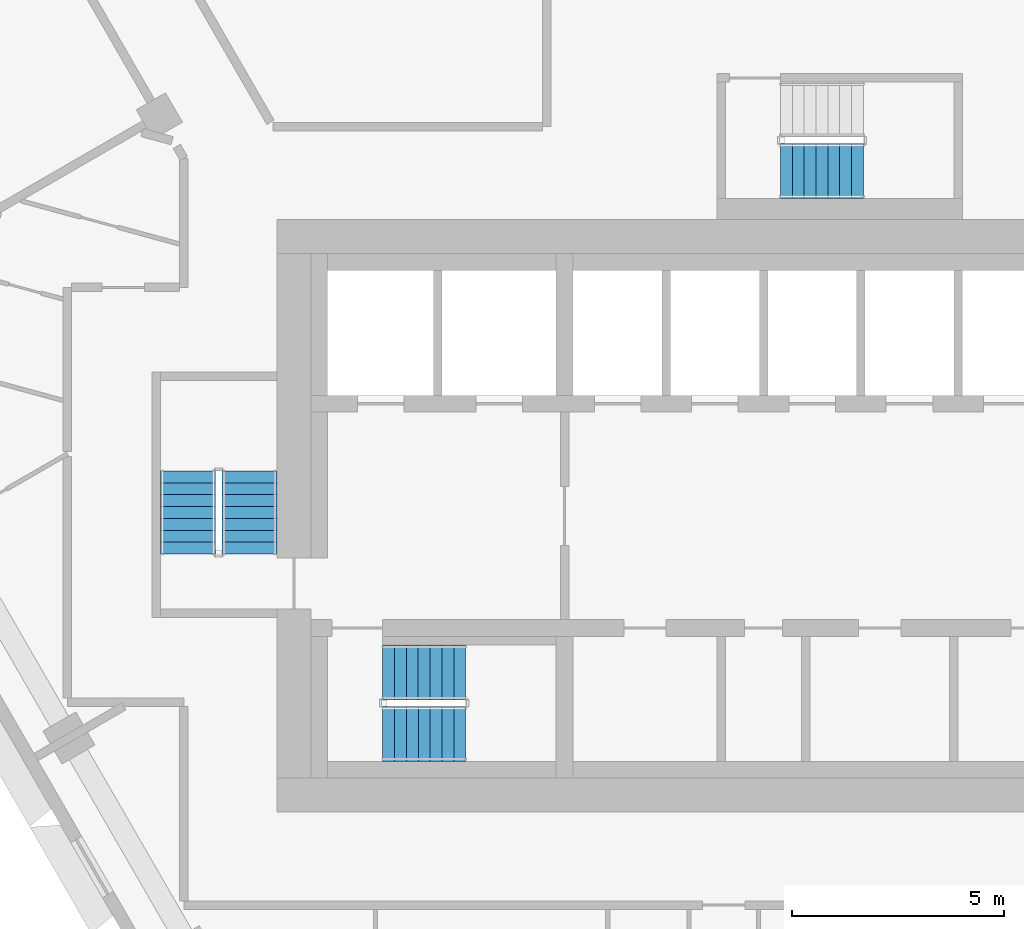
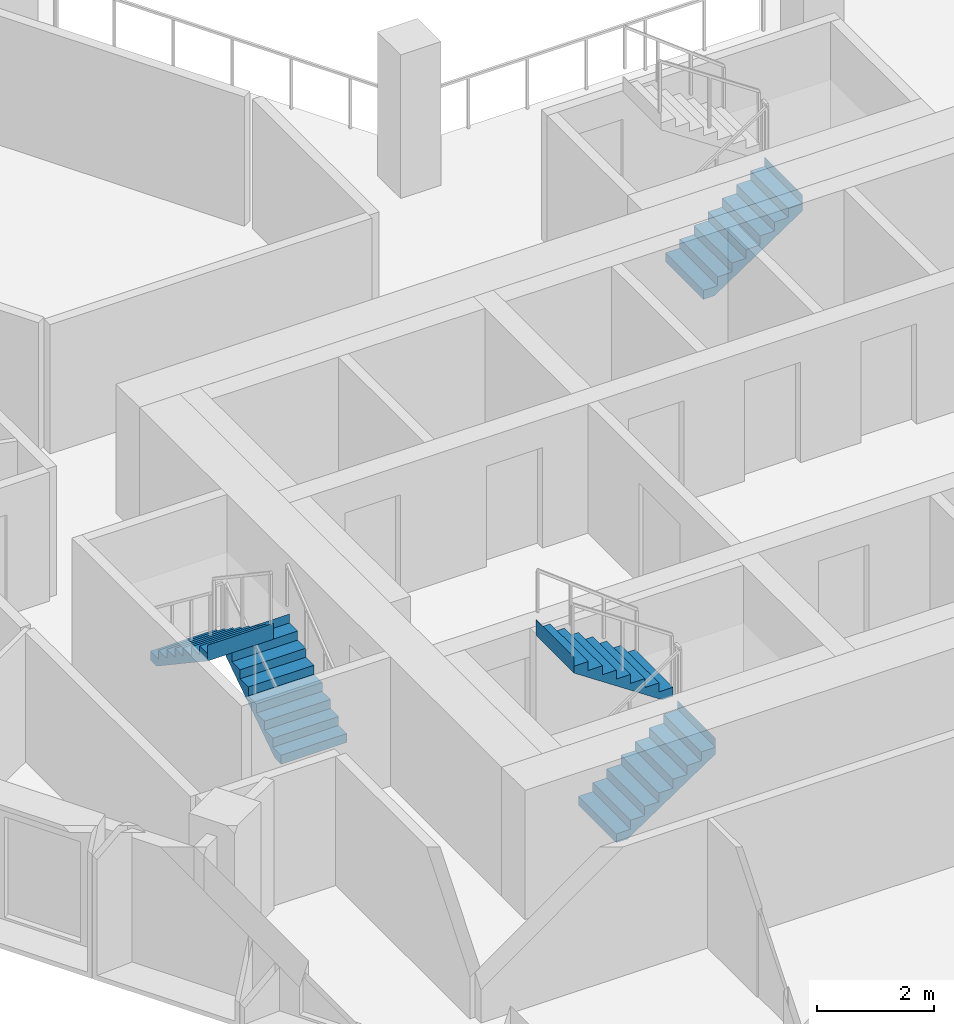
# One storey, part 10 of 15: 5 stair flights, 3 elements without a shape of their own.
"""IFC4 building model written with IfcOpenShell, lengths in metres."""

from ifc_helpers import new_model, si_unit, direction, frame, origin, place, context, subcontext, project, spatial, triangles, material, type_object, element, aggregate, save


model = new_model("IFC4")

# Units and contexts
model_context = context("Model", 3, precision=1e-05, world=origin(), true_north=direction((0.0, 1.0)))
body_context = subcontext(model_context, "Body", "Model", "MODEL_VIEW")
ifc_project = project(units=[si_unit("LENGTHUNIT", "METRE"), si_unit("AREAUNIT", "SQUARE_METRE"), si_unit("VOLUMEUNIT", "CUBIC_METRE"), si_unit("PLANEANGLEUNIT", "RADIAN"), si_unit("MASSUNIT", "GRAM", prefix="KILO")], contexts=[model_context])

# Site, building, storey
site_placement = place(None, origin())
site = spatial("IfcSite", under=ifc_project, at=site_placement, CompositionType="ELEMENT")
building_placement = place(site_placement, origin())
building = spatial("IfcBuilding", under=site, at=building_placement, Name="Beryl Residences", CompositionType="ELEMENT")
storey_placement = place(building_placement, frame((0.0, 0.0, 129.60009765625)))
storey = spatial("IfcBuildingStorey", under=building, at=storey_placement, Name="L39", CompositionType="ELEMENT", Elevation=129.60009765625)

# Stair, stair flights
ifc_material_1 = material(Name="Concrete C40/50", Category="concrete")
stair_type = type_object("IfcStairType", Name="ST1 protected exit stair, half-turn, 1300 mm flights", PredefinedType="HALF_TURN_STAIR", material=ifc_material_1)
stair_1_placement = place(storey_placement, origin())
stair_1 = element("IfcStair", 1, at=stair_1_placement, inside=storey, type_object=stair_type, Name="L39 PROTECTED EXIT STAIR ST-1", PredefinedType="HALF_TURN_STAIR")
ifc_material_2 = material(Name="Concrete C40/50", Category="concrete")
stair_flight_type = type_object("IfcStairFlightType", Name="SF1 stair flight 1300 mm", PredefinedType="STRAIGHT", material=ifc_material_2)
stair_flight_1_placement = place(storey_placement, frame((-10.800048828125, -17.14990234375, 0.0), z_axis=(0.0, 0.0, 1.0), x_axis=(1.0, 0.0, 0.0)))
stair_flight_1 = element("IfcStairFlight", 2, at=stair_flight_1_placement, type_object=stair_flight_type, Name="ST-1 flight 1", NumberOfRisers=8, NumberOfTreads=7, PredefinedType="STRAIGHT", RiserHeight=0.1875, TreadLength=0.28, context=body_context, shape_type="Tessellation", body=[
    triangles([(0.0, -0.64990234375, 0.0), (0.0, -0.324951171875, 0.0), (0.0, 0.0, 0.0), (0.0, 0.324951171875, 0.0), (0.0, 0.64990234375, 0.0), (0.0, -0.64990234375, 0.1875), (0.0, -0.324951171875, 0.1875), (0.0, 0.0, 0.1875), (0.0, 0.324951171875, 0.1875), (0.0, 0.64990234375, 0.1875), (0.280029296875, -0.64990234375, 0.1875), (0.280029296875, -0.324951171875, 0.1875), (0.280029296875, 0.0, 0.1875), (0.280029296875, 0.324951171875, 0.1875), (0.280029296875, 0.64990234375, 0.1875), (0.280029296875, -0.64990234375, 0.375), (0.280029296875, -0.324951171875, 0.375), (0.280029296875, 0.0, 0.375), (0.280029296875, 0.324951171875, 0.375), (0.280029296875, 0.64990234375, 0.375), (0.56005859375, -0.64990234375, 0.375), (0.56005859375, -0.324951171875, 0.375), (0.56005859375, 0.0, 0.375), (0.56005859375, 0.324951171875, 0.375), (0.56005859375, 0.64990234375, 0.375), (0.56005859375, -0.64990234375, 0.5625), (0.56005859375, -0.324951171875, 0.5625), (0.56005859375, 0.0, 0.5625), (0.56005859375, 0.324951171875, 0.5625), (0.56005859375, 0.64990234375, 0.5625), (0.840087890625, -0.64990234375, 0.5625), (0.840087890625, -0.324951171875, 0.5625), (0.840087890625, 0.0, 0.5625), (0.840087890625, 0.324951171875, 0.5625), (0.840087890625, 0.64990234375, 0.5625), (0.840087890625, -0.64990234375, 0.75), (0.840087890625, -0.324951171875, 0.75), (0.840087890625, 0.0, 0.75), (0.840087890625, 0.324951171875, 0.75), (0.840087890625, 0.64990234375, 0.75), (1.1201171875, -0.64990234375, 0.75), (1.1201171875, -0.324951171875, 0.75), (1.1201171875, 0.0, 0.75), (1.1201171875, 0.324951171875, 0.75), (1.1201171875, 0.64990234375, 0.75), (1.1201171875, -0.64990234375, 0.9375), (1.1201171875, -0.324951171875, 0.9375), (1.1201171875, 0.0, 0.9375), (1.1201171875, 0.324951171875, 0.9375), (1.1201171875, 0.64990234375, 0.9375), (1.39990234375, -0.64990234375, 0.9375), (1.39990234375, -0.324951171875, 0.9375), (1.39990234375, 0.0, 0.9375), (1.39990234375, 0.324951171875, 0.9375), (1.39990234375, 0.64990234375, 0.9375), (1.39990234375, -0.64990234375, 1.125), (1.39990234375, -0.324951171875, 1.125), (1.39990234375, 0.0, 1.125), (1.39990234375, 0.324951171875, 1.125), (1.39990234375, 0.64990234375, 1.125), (1.679931640625, -0.64990234375, 1.125), (1.679931640625, -0.324951171875, 1.125), (1.679931640625, 0.0, 1.125), (1.679931640625, 0.324951171875, 1.125), (1.679931640625, 0.64990234375, 1.125), (1.679931640625, -0.64990234375, 1.3125), (1.679931640625, -0.324951171875, 1.3125), (1.679931640625, 0.0, 1.3125), (1.679931640625, 0.324951171875, 1.3125), (1.679931640625, 0.64990234375, 1.3125), (1.9599609375, -0.64990234375, 1.3125), (1.9599609375, -0.324951171875, 1.3125), (1.9599609375, 0.0, 1.3125), (1.9599609375, 0.324951171875, 1.3125), (1.9599609375, 0.64990234375, 1.3125), (1.9599609375, -0.64990234375, 1.5), (1.9599609375, -0.324951171875, 1.5), (1.9599609375, 0.0, 1.5), (1.9599609375, 0.324951171875, 1.5), (1.9599609375, 0.64990234375, 1.5), (1.9609375, -0.64990234375, 1.5), (1.9609375, -0.324951171875, 1.5), (1.9609375, 0.0, 1.5), (1.9609375, 0.324951171875, 1.5), (1.9609375, 0.64990234375, 1.5), (1.9609375, -0.64990234375, 1.16796875), (1.9609375, -0.324951171875, 1.16796875), (1.9609375, 0.0, 1.16796875), (1.9609375, 0.324951171875, 1.16796875), (1.9609375, 0.64990234375, 1.16796875), (0.216796875, -0.64990234375, 0.0), (0.216796875, -0.324951171875, 0.0), (0.216796875, 0.0, 0.0), (0.216796875, 0.324951171875, 0.0), (0.216796875, 0.64990234375, 0.0)], [[1, 6, 7], [1, 7, 2], [2, 7, 8], [2, 8, 3], [3, 8, 9], [3, 9, 4], [4, 9, 10], [4, 10, 5], [6, 11, 12], [6, 12, 7], [7, 12, 13], [7, 13, 8], [8, 13, 14], [8, 14, 9], [9, 14, 15], [9, 15, 10], [11, 16, 17], [11, 17, 12], [12, 17, 18], [12, 18, 13], [13, 18, 19], [13, 19, 14], [14, 19, 20], [14, 20, 15], [16, 21, 22], [16, 22, 17], [17, 22, 23], [17, 23, 18], [18, 23, 24], [18, 24, 19], [19, 24, 25], [19, 25, 20], [21, 26, 27], [21, 27, 22], [22, 27, 28], [22, 28, 23], [23, 28, 29], [23, 29, 24], [24, 29, 30], [24, 30, 25], [26, 31, 32], [26, 32, 27], [27, 32, 33], [27, 33, 28], [28, 33, 34], [28, 34, 29], [29, 34, 35], [29, 35, 30], [31, 36, 37], [31, 37, 32], [32, 37, 38], [32, 38, 33], [33, 38, 39], [33, 39, 34], [34, 39, 40], [34, 40, 35], [36, 41, 42], [36, 42, 37], [37, 42, 43], [37, 43, 38], [38, 43, 44], [38, 44, 39], [39, 44, 45], [39, 45, 40], [41, 46, 47], [41, 47, 42], [42, 47, 48], [42, 48, 43], [43, 48, 49], [43, 49, 44], [44, 49, 50], [44, 50, 45], [46, 51, 52], [46, 52, 47], [47, 52, 53], [47, 53, 48], [48, 53, 54], [48, 54, 49], [49, 54, 55], [49, 55, 50], [51, 56, 57], [51, 57, 52], [52, 57, 58], [52, 58, 53], [53, 58, 59], [53, 59, 54], [54, 59, 60], [54, 60, 55], [56, 61, 62], [56, 62, 57], [57, 62, 63], [57, 63, 58], [58, 63, 64], [58, 64, 59], [59, 64, 65], [59, 65, 60], [61, 66, 67], [61, 67, 62], [62, 67, 68], [62, 68, 63], [63, 68, 69], [63, 69, 64], [64, 69, 70], [64, 70, 65], [66, 71, 72], [66, 72, 67], [67, 72, 73], [67, 73, 68], [68, 73, 74], [68, 74, 69], [69, 74, 75], [69, 75, 70], [71, 76, 77], [71, 77, 72], [72, 77, 78], [72, 78, 73], [73, 78, 79], [73, 79, 74], [74, 79, 80], [74, 80, 75], [76, 81, 82], [76, 82, 77], [77, 82, 83], [77, 83, 78], [78, 83, 84], [78, 84, 79], [79, 84, 85], [79, 85, 80], [81, 86, 87], [81, 87, 82], [82, 87, 88], [82, 88, 83], [83, 88, 89], [83, 89, 84], [84, 89, 90], [84, 90, 85], [86, 91, 92], [86, 92, 87], [87, 92, 93], [87, 93, 88], [88, 93, 94], [88, 94, 89], [89, 94, 95], [89, 95, 90], [91, 1, 2], [91, 2, 92], [92, 2, 3], [92, 3, 93], [93, 3, 4], [93, 4, 94], [94, 4, 5], [94, 5, 95], [1, 91, 86], [5, 90, 95], [86, 81, 76], [90, 80, 85], [86, 76, 71], [90, 75, 80], [86, 71, 66], [90, 70, 75], [86, 66, 61], [90, 65, 70], [61, 56, 51], [65, 55, 60], [86, 61, 51], [90, 55, 65], [51, 46, 41], [55, 45, 50], [86, 51, 41], [90, 45, 55], [41, 36, 31], [45, 35, 40], [86, 41, 31], [90, 35, 45], [31, 26, 21], [35, 25, 30], [86, 31, 21], [90, 25, 35], [21, 16, 11], [25, 15, 20], [86, 21, 11], [90, 15, 25], [1, 86, 11], [5, 15, 90], [11, 6, 1], [15, 5, 10]], closed=True),
])
stair_flight_2_placement = place(storey_placement, frame((-8.840087890625, -15.699951171875, 1.5), z_axis=(0.0, 0.0, 1.0), x_axis=(-1.0, 0.0, 0.0)))
stair_flight_2 = element("IfcStairFlight", 3, at=stair_flight_2_placement, type_object=stair_flight_type, Name="ST-1 flight 2", NumberOfRisers=8, NumberOfTreads=7, PredefinedType="STRAIGHT", RiserHeight=0.1875, TreadLength=0.28, context=body_context, shape_type="Tessellation", body=[
    triangles([(0.0, -0.64990234375, 0.0), (0.0, -0.324951171875, 0.0), (0.0, 0.0, 0.0), (0.0, 0.324951171875, 0.0), (0.0, 0.64990234375, 0.0), (0.0, -0.64990234375, 0.1875), (0.0, -0.324951171875, 0.1875), (0.0, 0.0, 0.1875), (0.0, 0.324951171875, 0.1875), (0.0, 0.64990234375, 0.1875), (0.280029296875, -0.64990234375, 0.1875), (0.280029296875, -0.324951171875, 0.1875), (0.280029296875, 0.0, 0.1875), (0.280029296875, 0.324951171875, 0.1875), (0.280029296875, 0.64990234375, 0.1875), (0.280029296875, -0.64990234375, 0.375), (0.280029296875, -0.324951171875, 0.375), (0.280029296875, 0.0, 0.375), (0.280029296875, 0.324951171875, 0.375), (0.280029296875, 0.64990234375, 0.375), (0.56005859375, -0.64990234375, 0.375), (0.56005859375, -0.324951171875, 0.375), (0.56005859375, 0.0, 0.375), (0.56005859375, 0.324951171875, 0.375), (0.56005859375, 0.64990234375, 0.375), (0.56005859375, -0.64990234375, 0.5625), (0.56005859375, -0.324951171875, 0.5625), (0.56005859375, 0.0, 0.5625), (0.56005859375, 0.324951171875, 0.5625), (0.56005859375, 0.64990234375, 0.5625), (0.840087890625, -0.64990234375, 0.5625), (0.840087890625, -0.324951171875, 0.5625), (0.840087890625, 0.0, 0.5625), (0.840087890625, 0.324951171875, 0.5625), (0.840087890625, 0.64990234375, 0.5625), (0.840087890625, -0.64990234375, 0.75), (0.840087890625, -0.324951171875, 0.75), (0.840087890625, 0.0, 0.75), (0.840087890625, 0.324951171875, 0.75), (0.840087890625, 0.64990234375, 0.75), (1.1201171875, -0.64990234375, 0.75), (1.1201171875, -0.324951171875, 0.75), (1.1201171875, 0.0, 0.75), (1.1201171875, 0.324951171875, 0.75), (1.1201171875, 0.64990234375, 0.75), (1.1201171875, -0.64990234375, 0.9375), (1.1201171875, -0.324951171875, 0.9375), (1.1201171875, 0.0, 0.9375), (1.1201171875, 0.324951171875, 0.9375), (1.1201171875, 0.64990234375, 0.9375), (1.39990234375, -0.64990234375, 0.9375), (1.39990234375, -0.324951171875, 0.9375), (1.39990234375, 0.0, 0.9375), (1.39990234375, 0.324951171875, 0.9375), (1.39990234375, 0.64990234375, 0.9375), (1.39990234375, -0.64990234375, 1.125), (1.39990234375, -0.324951171875, 1.125), (1.39990234375, 0.0, 1.125), (1.39990234375, 0.324951171875, 1.125), (1.39990234375, 0.64990234375, 1.125), (1.679931640625, -0.64990234375, 1.125), (1.679931640625, -0.324951171875, 1.125), (1.679931640625, 0.0, 1.125), (1.679931640625, 0.324951171875, 1.125), (1.679931640625, 0.64990234375, 1.125), (1.679931640625, -0.64990234375, 1.3125), (1.679931640625, -0.324951171875, 1.3125), (1.679931640625, 0.0, 1.3125), (1.679931640625, 0.324951171875, 1.3125), (1.679931640625, 0.64990234375, 1.3125), (1.9599609375, -0.64990234375, 1.3125), (1.9599609375, -0.324951171875, 1.3125), (1.9599609375, 0.0, 1.3125), (1.9599609375, 0.324951171875, 1.3125), (1.9599609375, 0.64990234375, 1.3125), (1.9599609375, -0.64990234375, 1.5), (1.9599609375, -0.324951171875, 1.5), (1.9599609375, 0.0, 1.5), (1.9599609375, 0.324951171875, 1.5), (1.9599609375, 0.64990234375, 1.5), (1.9609375, -0.64990234375, 1.5), (1.9609375, -0.324951171875, 1.5), (1.9609375, 0.0, 1.5), (1.9609375, 0.324951171875, 1.5), (1.9609375, 0.64990234375, 1.5), (1.9609375, -0.64990234375, 1.16796875), (1.9609375, -0.324951171875, 1.16796875), (1.9609375, 0.0, 1.16796875), (1.9609375, 0.324951171875, 1.16796875), (1.9609375, 0.64990234375, 1.16796875), (0.216796875, -0.64990234375, 0.0), (0.216796875, -0.324951171875, 0.0), (0.216796875, 0.0, 0.0), (0.216796875, 0.324951171875, 0.0), (0.216796875, 0.64990234375, 0.0)], [[1, 6, 7], [1, 7, 2], [2, 7, 8], [2, 8, 3], [3, 8, 9], [3, 9, 4], [4, 9, 10], [4, 10, 5], [6, 11, 12], [6, 12, 7], [7, 12, 13], [7, 13, 8], [8, 13, 14], [8, 14, 9], [9, 14, 15], [9, 15, 10], [11, 16, 17], [11, 17, 12], [12, 17, 18], [12, 18, 13], [13, 18, 19], [13, 19, 14], [14, 19, 20], [14, 20, 15], [16, 21, 22], [16, 22, 17], [17, 22, 23], [17, 23, 18], [18, 23, 24], [18, 24, 19], [19, 24, 25], [19, 25, 20], [21, 26, 27], [21, 27, 22], [22, 27, 28], [22, 28, 23], [23, 28, 29], [23, 29, 24], [24, 29, 30], [24, 30, 25], [26, 31, 32], [26, 32, 27], [27, 32, 33], [27, 33, 28], [28, 33, 34], [28, 34, 29], [29, 34, 35], [29, 35, 30], [31, 36, 37], [31, 37, 32], [32, 37, 38], [32, 38, 33], [33, 38, 39], [33, 39, 34], [34, 39, 40], [34, 40, 35], [36, 41, 42], [36, 42, 37], [37, 42, 43], [37, 43, 38], [38, 43, 44], [38, 44, 39], [39, 44, 45], [39, 45, 40], [41, 46, 47], [41, 47, 42], [42, 47, 48], [42, 48, 43], [43, 48, 49], [43, 49, 44], [44, 49, 50], [44, 50, 45], [46, 51, 52], [46, 52, 47], [47, 52, 53], [47, 53, 48], [48, 53, 54], [48, 54, 49], [49, 54, 55], [49, 55, 50], [51, 56, 57], [51, 57, 52], [52, 57, 58], [52, 58, 53], [53, 58, 59], [53, 59, 54], [54, 59, 60], [54, 60, 55], [56, 61, 62], [56, 62, 57], [57, 62, 63], [57, 63, 58], [58, 63, 64], [58, 64, 59], [59, 64, 65], [59, 65, 60], [61, 66, 67], [61, 67, 62], [62, 67, 68], [62, 68, 63], [63, 68, 69], [63, 69, 64], [64, 69, 70], [64, 70, 65], [66, 71, 72], [66, 72, 67], [67, 72, 73], [67, 73, 68], [68, 73, 74], [68, 74, 69], [69, 74, 75], [69, 75, 70], [71, 76, 77], [71, 77, 72], [72, 77, 78], [72, 78, 73], [73, 78, 79], [73, 79, 74], [74, 79, 80], [74, 80, 75], [76, 81, 82], [76, 82, 77], [77, 82, 83], [77, 83, 78], [78, 83, 84], [78, 84, 79], [79, 84, 85], [79, 85, 80], [81, 86, 87], [81, 87, 82], [82, 87, 88], [82, 88, 83], [83, 88, 89], [83, 89, 84], [84, 89, 90], [84, 90, 85], [86, 91, 92], [86, 92, 87], [87, 92, 93], [87, 93, 88], [88, 93, 94], [88, 94, 89], [89, 94, 95], [89, 95, 90], [91, 1, 2], [91, 2, 92], [92, 2, 3], [92, 3, 93], [93, 3, 4], [93, 4, 94], [94, 4, 5], [94, 5, 95], [1, 91, 86], [5, 90, 95], [86, 81, 76], [90, 80, 85], [86, 76, 71], [90, 75, 80], [86, 71, 66], [90, 70, 75], [86, 66, 61], [90, 65, 70], [61, 56, 51], [65, 55, 60], [86, 61, 51], [90, 55, 65], [51, 46, 41], [55, 45, 50], [86, 51, 41], [90, 45, 55], [41, 36, 31], [45, 35, 40], [86, 41, 31], [90, 35, 45], [31, 26, 21], [35, 25, 30], [86, 31, 21], [90, 25, 35], [21, 16, 11], [25, 15, 20], [86, 21, 11], [90, 15, 25], [1, 86, 11], [5, 15, 90], [11, 6, 1], [15, 5, 10]], closed=True),
])
aggregate(stair_1, [stair_flight_1, stair_flight_2])

stair_2_placement = place(storey_placement, origin())
stair_2 = element("IfcStair", 4, at=stair_2_placement, inside=storey, type_object=stair_type, Name="L39 PROTECTED EXIT STAIR ST-2", PredefinedType="HALF_TURN_STAIR")
stair_flight_3_placement = place(storey_placement, frame((-13.949951171875, -12.89990234375, 0.0), z_axis=(0.0, 0.0, 1.0), x_axis=(0.0, 1.0, 0.0)))
stair_flight_3 = element("IfcStairFlight", 5, at=stair_flight_3_placement, type_object=stair_flight_type, Name="ST-2 flight 1", NumberOfRisers=8, NumberOfTreads=7, PredefinedType="STRAIGHT", RiserHeight=0.1875, TreadLength=0.28, context=body_context, shape_type="Tessellation", body=[
    triangles([(0.0, -0.64990234375, 0.0), (0.0, -0.324951171875, 0.0), (0.0, 0.0, 0.0), (0.0, 0.324951171875, 0.0), (0.0, 0.64990234375, 0.0), (0.0, -0.64990234375, 0.1875), (0.0, -0.324951171875, 0.1875), (0.0, 0.0, 0.1875), (0.0, 0.324951171875, 0.1875), (0.0, 0.64990234375, 0.1875), (0.280029296875, -0.64990234375, 0.1875), (0.280029296875, -0.324951171875, 0.1875), (0.280029296875, 0.0, 0.1875), (0.280029296875, 0.324951171875, 0.1875), (0.280029296875, 0.64990234375, 0.1875), (0.280029296875, -0.64990234375, 0.375), (0.280029296875, -0.324951171875, 0.375), (0.280029296875, 0.0, 0.375), (0.280029296875, 0.324951171875, 0.375), (0.280029296875, 0.64990234375, 0.375), (0.56005859375, -0.64990234375, 0.375), (0.56005859375, -0.324951171875, 0.375), (0.56005859375, 0.0, 0.375), (0.56005859375, 0.324951171875, 0.375), (0.56005859375, 0.64990234375, 0.375), (0.56005859375, -0.64990234375, 0.5625), (0.56005859375, -0.324951171875, 0.5625), (0.56005859375, 0.0, 0.5625), (0.56005859375, 0.324951171875, 0.5625), (0.56005859375, 0.64990234375, 0.5625), (0.840087890625, -0.64990234375, 0.5625), (0.840087890625, -0.324951171875, 0.5625), (0.840087890625, 0.0, 0.5625), (0.840087890625, 0.324951171875, 0.5625), (0.840087890625, 0.64990234375, 0.5625), (0.840087890625, -0.64990234375, 0.75), (0.840087890625, -0.324951171875, 0.75), (0.840087890625, 0.0, 0.75), (0.840087890625, 0.324951171875, 0.75), (0.840087890625, 0.64990234375, 0.75), (1.1201171875, -0.64990234375, 0.75), (1.1201171875, -0.324951171875, 0.75), (1.1201171875, 0.0, 0.75), (1.1201171875, 0.324951171875, 0.75), (1.1201171875, 0.64990234375, 0.75), (1.1201171875, -0.64990234375, 0.9375), (1.1201171875, -0.324951171875, 0.9375), (1.1201171875, 0.0, 0.9375), (1.1201171875, 0.324951171875, 0.9375), (1.1201171875, 0.64990234375, 0.9375), (1.39990234375, -0.64990234375, 0.9375), (1.39990234375, -0.324951171875, 0.9375), (1.39990234375, 0.0, 0.9375), (1.39990234375, 0.324951171875, 0.9375), (1.39990234375, 0.64990234375, 0.9375), (1.39990234375, -0.64990234375, 1.125), (1.39990234375, -0.324951171875, 1.125), (1.39990234375, 0.0, 1.125), (1.39990234375, 0.324951171875, 1.125), (1.39990234375, 0.64990234375, 1.125), (1.679931640625, -0.64990234375, 1.125), (1.679931640625, -0.324951171875, 1.125), (1.679931640625, 0.0, 1.125), (1.679931640625, 0.324951171875, 1.125), (1.679931640625, 0.64990234375, 1.125), (1.679931640625, -0.64990234375, 1.3125), (1.679931640625, -0.324951171875, 1.3125), (1.679931640625, 0.0, 1.3125), (1.679931640625, 0.324951171875, 1.3125), (1.679931640625, 0.64990234375, 1.3125), (1.9599609375, -0.64990234375, 1.3125), (1.9599609375, -0.324951171875, 1.3125), (1.9599609375, 0.0, 1.3125), (1.9599609375, 0.324951171875, 1.3125), (1.9599609375, 0.64990234375, 1.3125), (1.9599609375, -0.64990234375, 1.5), (1.9599609375, -0.324951171875, 1.5), (1.9599609375, 0.0, 1.5), (1.9599609375, 0.324951171875, 1.5), (1.9599609375, 0.64990234375, 1.5), (1.9609375, -0.64990234375, 1.5), (1.9609375, -0.324951171875, 1.5), (1.9609375, 0.0, 1.5), (1.9609375, 0.324951171875, 1.5), (1.9609375, 0.64990234375, 1.5), (1.9609375, -0.64990234375, 1.16796875), (1.9609375, -0.324951171875, 1.16796875), (1.9609375, 0.0, 1.16796875), (1.9609375, 0.324951171875, 1.16796875), (1.9609375, 0.64990234375, 1.16796875), (0.216796875, -0.64990234375, 0.0), (0.216796875, -0.324951171875, 0.0), (0.216796875, 0.0, 0.0), (0.216796875, 0.324951171875, 0.0), (0.216796875, 0.64990234375, 0.0)], [[1, 6, 7], [1, 7, 2], [2, 7, 8], [2, 8, 3], [3, 8, 9], [3, 9, 4], [4, 9, 10], [4, 10, 5], [6, 11, 12], [6, 12, 7], [7, 12, 13], [7, 13, 8], [8, 13, 14], [8, 14, 9], [9, 14, 15], [9, 15, 10], [11, 16, 17], [11, 17, 12], [12, 17, 18], [12, 18, 13], [13, 18, 19], [13, 19, 14], [14, 19, 20], [14, 20, 15], [16, 21, 22], [16, 22, 17], [17, 22, 23], [17, 23, 18], [18, 23, 24], [18, 24, 19], [19, 24, 25], [19, 25, 20], [21, 26, 27], [21, 27, 22], [22, 27, 28], [22, 28, 23], [23, 28, 29], [23, 29, 24], [24, 29, 30], [24, 30, 25], [26, 31, 32], [26, 32, 27], [27, 32, 33], [27, 33, 28], [28, 33, 34], [28, 34, 29], [29, 34, 35], [29, 35, 30], [31, 36, 37], [31, 37, 32], [32, 37, 38], [32, 38, 33], [33, 38, 39], [33, 39, 34], [34, 39, 40], [34, 40, 35], [36, 41, 42], [36, 42, 37], [37, 42, 43], [37, 43, 38], [38, 43, 44], [38, 44, 39], [39, 44, 45], [39, 45, 40], [41, 46, 47], [41, 47, 42], [42, 47, 48], [42, 48, 43], [43, 48, 49], [43, 49, 44], [44, 49, 50], [44, 50, 45], [46, 51, 52], [46, 52, 47], [47, 52, 53], [47, 53, 48], [48, 53, 54], [48, 54, 49], [49, 54, 55], [49, 55, 50], [51, 56, 57], [51, 57, 52], [52, 57, 58], [52, 58, 53], [53, 58, 59], [53, 59, 54], [54, 59, 60], [54, 60, 55], [56, 61, 62], [56, 62, 57], [57, 62, 63], [57, 63, 58], [58, 63, 64], [58, 64, 59], [59, 64, 65], [59, 65, 60], [61, 66, 67], [61, 67, 62], [62, 67, 68], [62, 68, 63], [63, 68, 69], [63, 69, 64], [64, 69, 70], [64, 70, 65], [66, 71, 72], [66, 72, 67], [67, 72, 73], [67, 73, 68], [68, 73, 74], [68, 74, 69], [69, 74, 75], [69, 75, 70], [71, 76, 77], [71, 77, 72], [72, 77, 78], [72, 78, 73], [73, 78, 79], [73, 79, 74], [74, 79, 80], [74, 80, 75], [76, 81, 82], [76, 82, 77], [77, 82, 83], [77, 83, 78], [78, 83, 84], [78, 84, 79], [79, 84, 85], [79, 85, 80], [81, 86, 87], [81, 87, 82], [82, 87, 88], [82, 88, 83], [83, 88, 89], [83, 89, 84], [84, 89, 90], [84, 90, 85], [86, 91, 92], [86, 92, 87], [87, 92, 93], [87, 93, 88], [88, 93, 94], [88, 94, 89], [89, 94, 95], [89, 95, 90], [91, 1, 2], [91, 2, 92], [92, 2, 3], [92, 3, 93], [93, 3, 4], [93, 4, 94], [94, 4, 5], [94, 5, 95], [1, 91, 86], [5, 90, 95], [86, 81, 76], [90, 80, 85], [86, 76, 71], [90, 75, 80], [86, 71, 66], [90, 70, 75], [86, 66, 61], [90, 65, 70], [61, 56, 51], [65, 55, 60], [86, 61, 51], [90, 55, 65], [51, 46, 41], [55, 45, 50], [86, 51, 41], [90, 45, 55], [41, 36, 31], [45, 35, 40], [86, 41, 31], [90, 35, 45], [31, 26, 21], [35, 25, 30], [86, 31, 21], [90, 25, 35], [21, 16, 11], [25, 15, 20], [86, 21, 11], [90, 15, 25], [1, 86, 11], [5, 15, 90], [11, 6, 1], [15, 5, 10]], closed=True),
])
stair_flight_4_placement = place(storey_placement, frame((-15.39990234375, -10.93994140625, 1.5), z_axis=(0.0, 0.0, 1.0), x_axis=(0.0, -1.0, 0.0)))
stair_flight_4 = element("IfcStairFlight", 6, at=stair_flight_4_placement, type_object=stair_flight_type, Name="ST-2 flight 2", NumberOfRisers=8, NumberOfTreads=7, PredefinedType="STRAIGHT", RiserHeight=0.1875, TreadLength=0.28, context=body_context, shape_type="Tessellation", body=[
    triangles([(0.0, -0.64990234375, 0.0), (0.0, -0.324951171875, 0.0), (0.0, 0.0, 0.0), (0.0, 0.324951171875, 0.0), (0.0, 0.64990234375, 0.0), (0.0, -0.64990234375, 0.1875), (0.0, -0.324951171875, 0.1875), (0.0, 0.0, 0.1875), (0.0, 0.324951171875, 0.1875), (0.0, 0.64990234375, 0.1875), (0.280029296875, -0.64990234375, 0.1875), (0.280029296875, -0.324951171875, 0.1875), (0.280029296875, 0.0, 0.1875), (0.280029296875, 0.324951171875, 0.1875), (0.280029296875, 0.64990234375, 0.1875), (0.280029296875, -0.64990234375, 0.375), (0.280029296875, -0.324951171875, 0.375), (0.280029296875, 0.0, 0.375), (0.280029296875, 0.324951171875, 0.375), (0.280029296875, 0.64990234375, 0.375), (0.56005859375, -0.64990234375, 0.375), (0.56005859375, -0.324951171875, 0.375), (0.56005859375, 0.0, 0.375), (0.56005859375, 0.324951171875, 0.375), (0.56005859375, 0.64990234375, 0.375), (0.56005859375, -0.64990234375, 0.5625), (0.56005859375, -0.324951171875, 0.5625), (0.56005859375, 0.0, 0.5625), (0.56005859375, 0.324951171875, 0.5625), (0.56005859375, 0.64990234375, 0.5625), (0.840087890625, -0.64990234375, 0.5625), (0.840087890625, -0.324951171875, 0.5625), (0.840087890625, 0.0, 0.5625), (0.840087890625, 0.324951171875, 0.5625), (0.840087890625, 0.64990234375, 0.5625), (0.840087890625, -0.64990234375, 0.75), (0.840087890625, -0.324951171875, 0.75), (0.840087890625, 0.0, 0.75), (0.840087890625, 0.324951171875, 0.75), (0.840087890625, 0.64990234375, 0.75), (1.1201171875, -0.64990234375, 0.75), (1.1201171875, -0.324951171875, 0.75), (1.1201171875, 0.0, 0.75), (1.1201171875, 0.324951171875, 0.75), (1.1201171875, 0.64990234375, 0.75), (1.1201171875, -0.64990234375, 0.9375), (1.1201171875, -0.324951171875, 0.9375), (1.1201171875, 0.0, 0.9375), (1.1201171875, 0.324951171875, 0.9375), (1.1201171875, 0.64990234375, 0.9375), (1.39990234375, -0.64990234375, 0.9375), (1.39990234375, -0.324951171875, 0.9375), (1.39990234375, 0.0, 0.9375), (1.39990234375, 0.324951171875, 0.9375), (1.39990234375, 0.64990234375, 0.9375), (1.39990234375, -0.64990234375, 1.125), (1.39990234375, -0.324951171875, 1.125), (1.39990234375, 0.0, 1.125), (1.39990234375, 0.324951171875, 1.125), (1.39990234375, 0.64990234375, 1.125), (1.679931640625, -0.64990234375, 1.125), (1.679931640625, -0.324951171875, 1.125), (1.679931640625, 0.0, 1.125), (1.679931640625, 0.324951171875, 1.125), (1.679931640625, 0.64990234375, 1.125), (1.679931640625, -0.64990234375, 1.3125), (1.679931640625, -0.324951171875, 1.3125), (1.679931640625, 0.0, 1.3125), (1.679931640625, 0.324951171875, 1.3125), (1.679931640625, 0.64990234375, 1.3125), (1.9599609375, -0.64990234375, 1.3125), (1.9599609375, -0.324951171875, 1.3125), (1.9599609375, 0.0, 1.3125), (1.9599609375, 0.324951171875, 1.3125), (1.9599609375, 0.64990234375, 1.3125), (1.9599609375, -0.64990234375, 1.5), (1.9599609375, -0.324951171875, 1.5), (1.9599609375, 0.0, 1.5), (1.9599609375, 0.324951171875, 1.5), (1.9599609375, 0.64990234375, 1.5), (1.9609375, -0.64990234375, 1.5), (1.9609375, -0.324951171875, 1.5), (1.9609375, 0.0, 1.5), (1.9609375, 0.324951171875, 1.5), (1.9609375, 0.64990234375, 1.5), (1.9609375, -0.64990234375, 1.16796875), (1.9609375, -0.324951171875, 1.16796875), (1.9609375, 0.0, 1.16796875), (1.9609375, 0.324951171875, 1.16796875), (1.9609375, 0.64990234375, 1.16796875), (0.216796875, -0.64990234375, 0.0), (0.216796875, -0.324951171875, 0.0), (0.216796875, 0.0, 0.0), (0.216796875, 0.324951171875, 0.0), (0.216796875, 0.64990234375, 0.0)], [[1, 6, 7], [1, 7, 2], [2, 7, 8], [2, 8, 3], [3, 8, 9], [3, 9, 4], [4, 9, 10], [4, 10, 5], [6, 11, 12], [6, 12, 7], [7, 12, 13], [7, 13, 8], [8, 13, 14], [8, 14, 9], [9, 14, 15], [9, 15, 10], [11, 16, 17], [11, 17, 12], [12, 17, 18], [12, 18, 13], [13, 18, 19], [13, 19, 14], [14, 19, 20], [14, 20, 15], [16, 21, 22], [16, 22, 17], [17, 22, 23], [17, 23, 18], [18, 23, 24], [18, 24, 19], [19, 24, 25], [19, 25, 20], [21, 26, 27], [21, 27, 22], [22, 27, 28], [22, 28, 23], [23, 28, 29], [23, 29, 24], [24, 29, 30], [24, 30, 25], [26, 31, 32], [26, 32, 27], [27, 32, 33], [27, 33, 28], [28, 33, 34], [28, 34, 29], [29, 34, 35], [29, 35, 30], [31, 36, 37], [31, 37, 32], [32, 37, 38], [32, 38, 33], [33, 38, 39], [33, 39, 34], [34, 39, 40], [34, 40, 35], [36, 41, 42], [36, 42, 37], [37, 42, 43], [37, 43, 38], [38, 43, 44], [38, 44, 39], [39, 44, 45], [39, 45, 40], [41, 46, 47], [41, 47, 42], [42, 47, 48], [42, 48, 43], [43, 48, 49], [43, 49, 44], [44, 49, 50], [44, 50, 45], [46, 51, 52], [46, 52, 47], [47, 52, 53], [47, 53, 48], [48, 53, 54], [48, 54, 49], [49, 54, 55], [49, 55, 50], [51, 56, 57], [51, 57, 52], [52, 57, 58], [52, 58, 53], [53, 58, 59], [53, 59, 54], [54, 59, 60], [54, 60, 55], [56, 61, 62], [56, 62, 57], [57, 62, 63], [57, 63, 58], [58, 63, 64], [58, 64, 59], [59, 64, 65], [59, 65, 60], [61, 66, 67], [61, 67, 62], [62, 67, 68], [62, 68, 63], [63, 68, 69], [63, 69, 64], [64, 69, 70], [64, 70, 65], [66, 71, 72], [66, 72, 67], [67, 72, 73], [67, 73, 68], [68, 73, 74], [68, 74, 69], [69, 74, 75], [69, 75, 70], [71, 76, 77], [71, 77, 72], [72, 77, 78], [72, 78, 73], [73, 78, 79], [73, 79, 74], [74, 79, 80], [74, 80, 75], [76, 81, 82], [76, 82, 77], [77, 82, 83], [77, 83, 78], [78, 83, 84], [78, 84, 79], [79, 84, 85], [79, 85, 80], [81, 86, 87], [81, 87, 82], [82, 87, 88], [82, 88, 83], [83, 88, 89], [83, 89, 84], [84, 89, 90], [84, 90, 85], [86, 91, 92], [86, 92, 87], [87, 92, 93], [87, 93, 88], [88, 93, 94], [88, 94, 89], [89, 94, 95], [89, 95, 90], [91, 1, 2], [91, 2, 92], [92, 2, 3], [92, 3, 93], [93, 3, 4], [93, 4, 94], [94, 4, 5], [94, 5, 95], [1, 91, 86], [5, 90, 95], [86, 81, 76], [90, 80, 85], [86, 76, 71], [90, 75, 80], [86, 71, 66], [90, 70, 75], [86, 66, 61], [90, 65, 70], [61, 56, 51], [65, 55, 60], [86, 61, 51], [90, 55, 65], [51, 46, 41], [55, 45, 50], [86, 51, 41], [90, 45, 55], [41, 36, 31], [45, 35, 40], [86, 41, 31], [90, 35, 45], [31, 26, 21], [35, 25, 30], [86, 31, 21], [90, 25, 35], [21, 16, 11], [25, 15, 20], [86, 21, 11], [90, 15, 25], [1, 86, 11], [5, 15, 90], [11, 6, 1], [15, 5, 10]], closed=True),
])
aggregate(stair_2, [stair_flight_3, stair_flight_4])

# Stair, stair flight
stair_3_placement = place(storey_placement, origin())
stair_3 = element("IfcStair", 7, at=stair_3_placement, inside=storey, type_object=stair_type, Name="L39 PROTECTED EXIT STAIR ST-4", PredefinedType="HALF_TURN_STAIR")
stair_flight_5_placement = place(storey_placement, frame((-1.39990234375, -3.85009765625, 0.0), z_axis=(0.0, 0.0, 1.0), x_axis=(1.0, 0.0, 0.0)))
stair_flight_5 = element("IfcStairFlight", 8, at=stair_flight_5_placement, type_object=stair_flight_type, Name="ST-4 flight 1", NumberOfRisers=8, NumberOfTreads=7, PredefinedType="STRAIGHT", RiserHeight=0.1875, TreadLength=0.28, context=body_context, shape_type="Tessellation", body=[
    triangles([(0.0, -0.64990234375, 0.0), (0.0, -0.324951171875, 0.0), (0.0, 0.0, 0.0), (0.0, 0.324951171875, 0.0), (0.0, 0.64990234375, 0.0), (0.0, -0.64990234375, 0.1875), (0.0, -0.324951171875, 0.1875), (0.0, 0.0, 0.1875), (0.0, 0.324951171875, 0.1875), (0.0, 0.64990234375, 0.1875), (0.280029296875, -0.64990234375, 0.1875), (0.280029296875, -0.324951171875, 0.1875), (0.280029296875, 0.0, 0.1875), (0.280029296875, 0.324951171875, 0.1875), (0.280029296875, 0.64990234375, 0.1875), (0.280029296875, -0.64990234375, 0.375), (0.280029296875, -0.324951171875, 0.375), (0.280029296875, 0.0, 0.375), (0.280029296875, 0.324951171875, 0.375), (0.280029296875, 0.64990234375, 0.375), (0.56005859375, -0.64990234375, 0.375), (0.56005859375, -0.324951171875, 0.375), (0.56005859375, 0.0, 0.375), (0.56005859375, 0.324951171875, 0.375), (0.56005859375, 0.64990234375, 0.375), (0.56005859375, -0.64990234375, 0.5625), (0.56005859375, -0.324951171875, 0.5625), (0.56005859375, 0.0, 0.5625), (0.56005859375, 0.324951171875, 0.5625), (0.56005859375, 0.64990234375, 0.5625), (0.840087890625, -0.64990234375, 0.5625), (0.840087890625, -0.324951171875, 0.5625), (0.840087890625, 0.0, 0.5625), (0.840087890625, 0.324951171875, 0.5625), (0.840087890625, 0.64990234375, 0.5625), (0.840087890625, -0.64990234375, 0.75), (0.840087890625, -0.324951171875, 0.75), (0.840087890625, 0.0, 0.75), (0.840087890625, 0.324951171875, 0.75), (0.840087890625, 0.64990234375, 0.75), (1.1201171875, -0.64990234375, 0.75), (1.1201171875, -0.324951171875, 0.75), (1.1201171875, 0.0, 0.75), (1.1201171875, 0.324951171875, 0.75), (1.1201171875, 0.64990234375, 0.75), (1.1201171875, -0.64990234375, 0.9375), (1.1201171875, -0.324951171875, 0.9375), (1.1201171875, 0.0, 0.9375), (1.1201171875, 0.324951171875, 0.9375), (1.1201171875, 0.64990234375, 0.9375), (1.39990234375, -0.64990234375, 0.9375), (1.39990234375, -0.324951171875, 0.9375), (1.39990234375, 0.0, 0.9375), (1.39990234375, 0.324951171875, 0.9375), (1.39990234375, 0.64990234375, 0.9375), (1.39990234375, -0.64990234375, 1.125), (1.39990234375, -0.324951171875, 1.125), (1.39990234375, 0.0, 1.125), (1.39990234375, 0.324951171875, 1.125), (1.39990234375, 0.64990234375, 1.125), (1.679931640625, -0.64990234375, 1.125), (1.679931640625, -0.324951171875, 1.125), (1.679931640625, 0.0, 1.125), (1.679931640625, 0.324951171875, 1.125), (1.679931640625, 0.64990234375, 1.125), (1.679931640625, -0.64990234375, 1.3125), (1.679931640625, -0.324951171875, 1.3125), (1.679931640625, 0.0, 1.3125), (1.679931640625, 0.324951171875, 1.3125), (1.679931640625, 0.64990234375, 1.3125), (1.9599609375, -0.64990234375, 1.3125), (1.9599609375, -0.324951171875, 1.3125), (1.9599609375, 0.0, 1.3125), (1.9599609375, 0.324951171875, 1.3125), (1.9599609375, 0.64990234375, 1.3125), (1.9599609375, -0.64990234375, 1.5), (1.9599609375, -0.324951171875, 1.5), (1.9599609375, 0.0, 1.5), (1.9599609375, 0.324951171875, 1.5), (1.9599609375, 0.64990234375, 1.5), (1.9609375, -0.64990234375, 1.5), (1.9609375, -0.324951171875, 1.5), (1.9609375, 0.0, 1.5), (1.9609375, 0.324951171875, 1.5), (1.9609375, 0.64990234375, 1.5), (1.9609375, -0.64990234375, 1.16796875), (1.9609375, -0.324951171875, 1.16796875), (1.9609375, 0.0, 1.16796875), (1.9609375, 0.324951171875, 1.16796875), (1.9609375, 0.64990234375, 1.16796875), (0.216796875, -0.64990234375, 0.0), (0.216796875, -0.324951171875, 0.0), (0.216796875, 0.0, 0.0), (0.216796875, 0.324951171875, 0.0), (0.216796875, 0.64990234375, 0.0)], [[1, 6, 7], [1, 7, 2], [2, 7, 8], [2, 8, 3], [3, 8, 9], [3, 9, 4], [4, 9, 10], [4, 10, 5], [6, 11, 12], [6, 12, 7], [7, 12, 13], [7, 13, 8], [8, 13, 14], [8, 14, 9], [9, 14, 15], [9, 15, 10], [11, 16, 17], [11, 17, 12], [12, 17, 18], [12, 18, 13], [13, 18, 19], [13, 19, 14], [14, 19, 20], [14, 20, 15], [16, 21, 22], [16, 22, 17], [17, 22, 23], [17, 23, 18], [18, 23, 24], [18, 24, 19], [19, 24, 25], [19, 25, 20], [21, 26, 27], [21, 27, 22], [22, 27, 28], [22, 28, 23], [23, 28, 29], [23, 29, 24], [24, 29, 30], [24, 30, 25], [26, 31, 32], [26, 32, 27], [27, 32, 33], [27, 33, 28], [28, 33, 34], [28, 34, 29], [29, 34, 35], [29, 35, 30], [31, 36, 37], [31, 37, 32], [32, 37, 38], [32, 38, 33], [33, 38, 39], [33, 39, 34], [34, 39, 40], [34, 40, 35], [36, 41, 42], [36, 42, 37], [37, 42, 43], [37, 43, 38], [38, 43, 44], [38, 44, 39], [39, 44, 45], [39, 45, 40], [41, 46, 47], [41, 47, 42], [42, 47, 48], [42, 48, 43], [43, 48, 49], [43, 49, 44], [44, 49, 50], [44, 50, 45], [46, 51, 52], [46, 52, 47], [47, 52, 53], [47, 53, 48], [48, 53, 54], [48, 54, 49], [49, 54, 55], [49, 55, 50], [51, 56, 57], [51, 57, 52], [52, 57, 58], [52, 58, 53], [53, 58, 59], [53, 59, 54], [54, 59, 60], [54, 60, 55], [56, 61, 62], [56, 62, 57], [57, 62, 63], [57, 63, 58], [58, 63, 64], [58, 64, 59], [59, 64, 65], [59, 65, 60], [61, 66, 67], [61, 67, 62], [62, 67, 68], [62, 68, 63], [63, 68, 69], [63, 69, 64], [64, 69, 70], [64, 70, 65], [66, 71, 72], [66, 72, 67], [67, 72, 73], [67, 73, 68], [68, 73, 74], [68, 74, 69], [69, 74, 75], [69, 75, 70], [71, 76, 77], [71, 77, 72], [72, 77, 78], [72, 78, 73], [73, 78, 79], [73, 79, 74], [74, 79, 80], [74, 80, 75], [76, 81, 82], [76, 82, 77], [77, 82, 83], [77, 83, 78], [78, 83, 84], [78, 84, 79], [79, 84, 85], [79, 85, 80], [81, 86, 87], [81, 87, 82], [82, 87, 88], [82, 88, 83], [83, 88, 89], [83, 89, 84], [84, 89, 90], [84, 90, 85], [86, 91, 92], [86, 92, 87], [87, 92, 93], [87, 93, 88], [88, 93, 94], [88, 94, 89], [89, 94, 95], [89, 95, 90], [91, 1, 2], [91, 2, 92], [92, 2, 3], [92, 3, 93], [93, 3, 4], [93, 4, 94], [94, 4, 5], [94, 5, 95], [1, 91, 86], [5, 90, 95], [86, 81, 76], [90, 80, 85], [86, 76, 71], [90, 75, 80], [86, 71, 66], [90, 70, 75], [86, 66, 61], [90, 65, 70], [61, 56, 51], [65, 55, 60], [86, 61, 51], [90, 55, 65], [51, 46, 41], [55, 45, 50], [86, 51, 41], [90, 45, 55], [41, 36, 31], [45, 35, 40], [86, 41, 31], [90, 35, 45], [31, 26, 21], [35, 25, 30], [86, 31, 21], [90, 25, 35], [21, 16, 11], [25, 15, 20], [86, 21, 11], [90, 15, 25], [1, 86, 11], [5, 15, 90], [11, 6, 1], [15, 5, 10]], closed=True),
])
aggregate(stair_3, [stair_flight_5])

save(model, "model.ifc")
